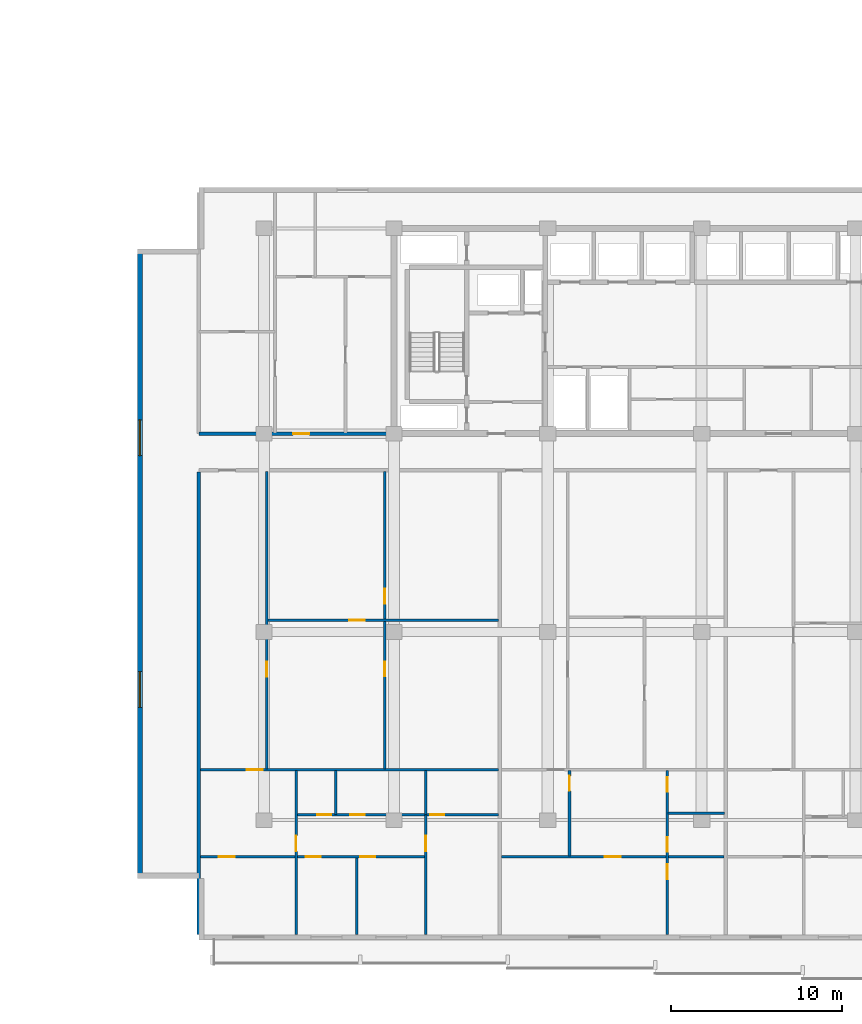
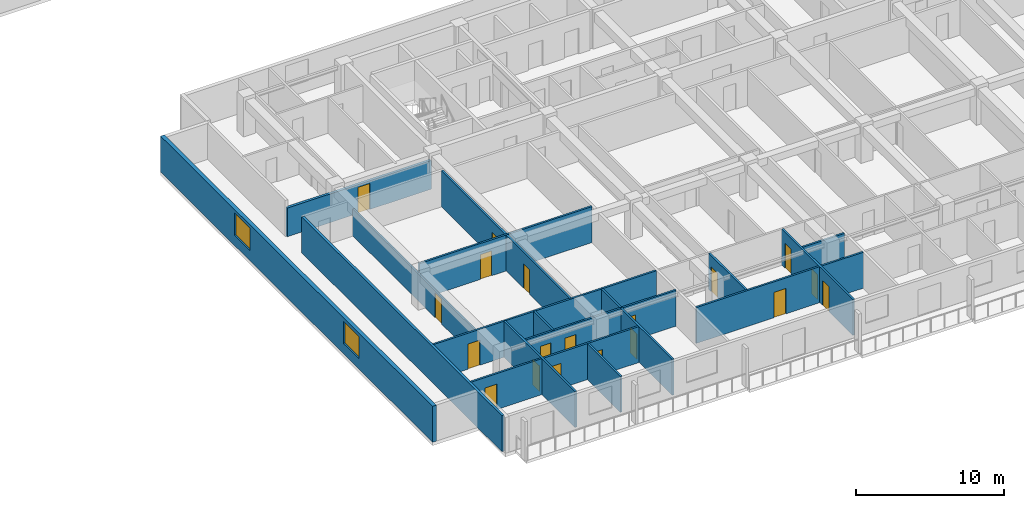
# One storey, part 4 of 23: 19 doors, 18 walls, 2 windows, 21 openings.
"""IFC4 building model written with IfcOpenShell, lengths in metres."""

from ifc_helpers import new_model, si_unit, direction, frame, frame_2d, origin, place, context, subcontext, project, spatial, rectangle, extrude, material, layer, layer_set, type_object, element, fill, save


model = new_model("IFC4")

# Units and contexts
model_context = context("Model", 3, precision=1e-05, world=origin(), true_north=direction((0.0, 1.0)))
body_context = subcontext(model_context, "Body", "Model", "MODEL_VIEW")
ifc_project = project(units=[si_unit("LENGTHUNIT", "METRE"), si_unit("AREAUNIT", "SQUARE_METRE"), si_unit("VOLUMEUNIT", "CUBIC_METRE"), si_unit("PLANEANGLEUNIT", "RADIAN"), si_unit("MASSUNIT", "GRAM", prefix="KILO")], contexts=[model_context])

# Site, building, storey
site_placement = place(None, origin())
site = spatial("IfcSite", under=ifc_project, at=site_placement, CompositionType="ELEMENT")
building_placement = place(site_placement, origin())
building = spatial("IfcBuilding", under=site, at=building_placement, Name="Korimba Cascade Residences", CompositionType="ELEMENT")
storey_placement = place(building_placement, frame((0.0, 0.0, 69.5)))
storey = spatial("IfcBuildingStorey", under=building, at=storey_placement, Name="L19", CompositionType="ELEMENT", Elevation=69.5)

# Wall, openings, windows
ifc_material_1 = material(Name="Precast concrete C40/50", Category="concrete")
ifc_layer_1 = layer(ifc_material_1, 0.300048828125)
ifc_layer_set_1 = layer_set([ifc_layer_1], Name="Precast concrete C40/50")
wall_type_1 = type_object("IfcWallType", Name="EW-STONE-300", PredefinedType="STANDARD", material=ifc_layer_set_1)
wall_1_placement = place(storey_placement, frame((67.25, 29.199951171875, 0.0), z_axis=(0.0, 0.0, 1.0), x_axis=(0.0, -1.0, 0.0)))
wall_1 = element("IfcWall", 1, at=wall_1_placement, inside=storey, type_object=wall_type_1, Name="L19 T2 Perimeter Stone Wall E09", PredefinedType="STANDARD", context=body_context, shape_type="SweptSolid", body=[
    extrude(rectangle(XDim=36.800048828125, YDim=0.300048828125, at=frame_2d((18.39990234375, 0.0))), origin(), (0.0, 0.0, 1.0), 2.969970703125),
])
opening_1_placement = place(wall_1_placement, frame((9.989990234375, 0.0, 0.85009765625)))
opening_1 = element("IfcOpeningElement", 2, at=opening_1_placement, cuts=wall_1, Name="Opening W-03", PredefinedType="OPENING", context=body_context, shape_type="SweptSolid", body=[
    extrude(rectangle(XDim=2.10009765625, YDim=1.85009765625, at=frame_2d((1.050048828125, 0.925048828125))), frame((0.0, 0.16015625, 0.0), z_axis=(0.0, -1.0, 0.0), x_axis=(1.0, 0.0, 0.0)), (0.0, 0.0, 1.0), 0.320068359375),
])
opening_2_placement = place(wall_1_placement, frame((24.7099609375, 0.0, 0.85009765625)))
opening_2 = element("IfcOpeningElement", 3, at=opening_2_placement, cuts=wall_1, Name="Opening W-03", PredefinedType="OPENING", context=body_context, shape_type="SweptSolid", body=[
    extrude(rectangle(XDim=2.10009765625, YDim=1.85009765625, at=frame_2d((1.050048828125, 0.925048828125))), frame((0.0, 0.16015625, 0.0), z_axis=(0.0, -1.0, 0.0), x_axis=(1.0, 0.0, 0.0)), (0.0, 0.0, 1.0), 0.320068359375),
])
ifc_material_2 = material(Name="Double-Glazed Aluminium Window", Category="aluminium")
window_type = type_object("IfcWindowType", Name="WIN-CRN-2100", PartitioningType="DOUBLE_PANEL_HORIZONTAL", PredefinedType="WINDOW", material=ifc_material_2)
window_1_placement = place(opening_1_placement, origin())
window_1 = element("IfcWindow", 4, at=window_1_placement, inside=storey, type_object=window_type, Name="L19 T2 End View Window 9.1", OverallHeight=1.85009765625, OverallWidth=2.10009765625, PartitioningType="DOUBLE_PANEL_HORIZONTAL", PredefinedType="WINDOW", context=body_context, shape_type="SweptSolid", body=[
    extrude(rectangle(XDim=2.10009765625, YDim=1.85009765625, at=frame_2d((1.050048828125, 0.925048828125))), frame((0.0, 0.030029296875, 0.0), z_axis=(0.0, -1.0, 0.0), x_axis=(1.0, 0.0, 0.0)), (0.0, 0.0, 1.0), 0.06005859375),
])
fill(opening_1, window_1)
window_2_placement = place(opening_2_placement, origin())
window_2 = element("IfcWindow", 5, at=window_2_placement, inside=storey, type_object=window_type, Name="L19 T2 End View Window 9.2", OverallHeight=1.85009765625, OverallWidth=2.10009765625, PartitioningType="DOUBLE_PANEL_HORIZONTAL", PredefinedType="WINDOW", context=body_context, shape_type="SweptSolid", body=[
    extrude(rectangle(XDim=2.10009765625, YDim=1.85009765625, at=frame_2d((1.050048828125, 0.925048828125))), frame((0.0, 0.030029296875, 0.0), z_axis=(0.0, -1.0, 0.0), x_axis=(1.0, 0.0, 0.0)), (0.0, 0.0, 1.0), 0.06005859375),
])
fill(opening_2, window_2)

# Wall, opening, door
ifc_layer_2 = layer(ifc_material_1, 0.199951171875)
ifc_layer_set_2 = layer_set([ifc_layer_2], Name="Precast concrete C40/50")
wall_type_2 = type_object("IfcWallType", Name="WAL-IT-200", PredefinedType="PARTITIONING", material=ifc_layer_set_2)
wall_2_placement = place(storey_placement, frame((70.699951171875, 18.39990234375, 0.0), z_axis=(0.0, 0.0, 1.0), x_axis=(1.0, 0.0, 0.0)))
wall_2 = element("IfcWall", 6, at=wall_2_placement, inside=storey, type_object=wall_type_2, Name="L19 Partition Wall WAL-L19-T2-FW-S", PredefinedType="PARTITIONING", context=body_context, shape_type="SweptSolid", body=[
    extrude(rectangle(XDim=11.25, YDim=0.199951171875, at=frame_2d((5.625, 0.0))), origin(), (0.0, 0.0, 1.0), 2.3701171875),
])
opening_3_placement = place(wall_2_placement, frame((5.50634765625, 0.0, 0.0)))
opening_3 = element("IfcOpeningElement", 7, at=opening_3_placement, cuts=wall_2, Name="Opening D-UN1", PredefinedType="OPENING", context=body_context, shape_type="SweptSolid", body=[
    extrude(rectangle(XDim=0.949951171875, YDim=2.14990234375, at=frame_2d((0.47509765625, 1.074951171875))), frame((0.0, 0.10986328125, 0.0), z_axis=(0.0, -1.0, 0.0), x_axis=(1.0, 0.0, 0.0)), (0.0, 0.0, 1.0), 0.219970703125),
])
ifc_material_3 = material(Name="Fire-Rated Hardwood Apartment Entrance Door", Category="wood")
door_type_1 = type_object("IfcDoorType", Name="DR-FD60-950", OperationType="NOTDEFINED", PredefinedType="DOOR", material=ifc_material_3)
door_1_placement = place(opening_3_placement, origin())
door_1 = element("IfcDoor", 8, at=door_1_placement, inside=storey, type_object=door_type_1, Name="L19-T2-FW Entrance Door", OperationType="SINGLE_SWING_RIGHT", OverallHeight=2.14990234375, OverallWidth=0.949951171875, PredefinedType="DOOR", context=body_context, shape_type="SweptSolid", body=[
    extrude(rectangle(XDim=0.949951171875, YDim=2.14990234375, at=frame_2d((0.47509765625, 1.074951171875))), frame((0.0, 0.02490234375, 0.0), z_axis=(0.0, -1.0, 0.0), x_axis=(1.0, 0.0, 0.0)), (0.0, 0.0, 1.0), 0.050048828125),
])
fill(opening_3, door_1)

# Wall
wall_3_placement = place(storey_placement, frame((70.699951171875, -10.89990234375, 0.0), z_axis=(0.0, 0.0, 1.0), x_axis=(0.0, 1.0, 0.0)))
element("IfcWall", 9, at=wall_3_placement, inside=storey, type_object=wall_type_2, Name="L19 Partition Wall WAL-L19-T2-BNDWL", PredefinedType="PARTITIONING", context=body_context, shape_type="SweptSolid", body=[
    extrude(rectangle(XDim=27.06982421875, YDim=0.199951171875, at=frame_2d((13.534912109375, 0.0))), origin(), (0.0, 0.0, 1.0), 2.969970703125),
])

# Wall, openings, doors
ifc_material_4 = material(Name="Insulated Acoustic Stud Partition", Category="gypsum")
ifc_layer_3 = layer(ifc_material_4, 0.14990234375)
ifc_layer_set_3 = layer_set([ifc_layer_3], Name="Insulated Acoustic Stud Partition")
wall_type_3 = type_object("IfcWallType", Name="WAL-PART-150", PredefinedType="PARTITIONING", material=ifc_layer_set_3)
wall_4_placement = place(storey_placement, frame((81.574951171875, -1.2099609375, 0.0), z_axis=(0.0, 0.0, 1.0), x_axis=(0.0, 1.0, 0.0)))
wall_4 = element("IfcWall", 10, at=wall_4_placement, inside=storey, type_object=wall_type_3, Name="L19 Partition Wall WAL-L19-T2-U01-FMV", PredefinedType="PARTITIONING", context=body_context, shape_type="SweptSolid", body=[
    extrude(rectangle(XDim=17.39990234375, YDim=0.14990234375, at=frame_2d((8.699951171875, 0.0))), origin(), (0.0, 0.0, 1.0), 2.969970703125),
])
opening_4_placement = place(wall_4_placement, frame((5.431884765625, 0.0, 0.0)))
opening_4 = element("IfcOpeningElement", 11, at=opening_4_placement, cuts=wall_4, Name="Opening D-BT1", PredefinedType="OPENING", context=body_context, shape_type="SweptSolid", body=[
    extrude(rectangle(XDim=0.840087890625, YDim=2.0400390625, at=frame_2d((0.419921875, 1.02001953125))), frame((0.0, 0.0849609375, 0.0), z_axis=(0.0, -1.0, 0.0), x_axis=(1.0, 0.0, 0.0)), (0.0, 0.0, 1.0), 0.169921875),
])
opening_5_placement = place(wall_4_placement, frame((9.672119140625, 0.0, 0.0)))
opening_5 = element("IfcOpeningElement", 12, at=opening_5_placement, cuts=wall_4, Name="Opening D-IN2", PredefinedType="OPENING", context=body_context, shape_type="SweptSolid", body=[
    extrude(rectangle(XDim=0.8798828125, YDim=2.06005859375, at=frame_2d((0.43994140625, 1.030029296875))), frame((0.0, 0.0849609375, 0.0), z_axis=(0.0, -1.0, 0.0), x_axis=(1.0, 0.0, 0.0)), (0.0, 0.0, 1.0), 0.169921875),
])
ifc_material_5 = material(Name="Moisture-Resistant Bathroom Timber Door", Category="wood")
door_type_2 = type_object("IfcDoorType", Name="DR-INT-850", OperationType="NOTDEFINED", PredefinedType="DOOR", material=ifc_material_5)
door_2_placement = place(opening_4_placement, origin())
door_2 = element("IfcDoor", 13, at=door_2_placement, inside=storey, type_object=door_type_2, Name="L19-T2-U01 Wardrobe Door", OperationType="SINGLE_SWING_LEFT", OverallHeight=2.0400390625, OverallWidth=0.840087890625, PredefinedType="DOOR", context=body_context, shape_type="SweptSolid", body=[
    extrude(rectangle(XDim=0.840087890625, YDim=2.0400390625, at=frame_2d((0.419921875, 1.02001953125))), frame((0.0, 0.02490234375, 0.0), z_axis=(0.0, -1.0, 0.0), x_axis=(1.0, 0.0, 0.0)), (0.0, 0.0, 1.0), 0.050048828125),
])
fill(opening_4, door_2)
ifc_material_6 = material(Name="Acoustic Timber Bedroom Door", Category="wood")
door_type_3 = type_object("IfcDoorType", Name="DR-INT-880", OperationType="NOTDEFINED", PredefinedType="DOOR", material=ifc_material_6)
door_3_placement = place(opening_5_placement, origin())
door_3 = element("IfcDoor", 14, at=door_3_placement, inside=storey, type_object=door_type_3, Name="L19-T2-U01 Music Lounge Door", OperationType="SINGLE_SWING_RIGHT", OverallHeight=2.06005859375, OverallWidth=0.8798828125, PredefinedType="DOOR", context=body_context, shape_type="SweptSolid", body=[
    extrude(rectangle(XDim=0.8798828125, YDim=2.06005859375, at=frame_2d((0.43994140625, 1.030029296875))), frame((0.0, 0.02490234375, 0.0), z_axis=(0.0, -1.0, 0.0), x_axis=(1.0, 0.0, 0.0)), (0.0, 0.0, 1.0), 0.050048828125),
])
fill(opening_5, door_3)

# Wall, opening, door
wall_5_placement = place(storey_placement, frame((74.72998046875, 7.489990234375, 0.0), z_axis=(0.0, 0.0, 1.0), x_axis=(1.0, 0.0, 0.0)))
wall_5 = element("IfcWall", 15, at=wall_5_placement, inside=storey, type_object=wall_type_3, Name="L19 Partition Wall WAL-L19-T2-U01-FMH", PredefinedType="PARTITIONING", context=body_context, shape_type="SweptSolid", body=[
    extrude(rectangle(XDim=13.489990234375, YDim=0.14990234375, at=frame_2d((6.7451171875, 0.0))), origin(), (0.0, 0.0, 1.0), 2.969970703125),
])
opening_6_placement = place(wall_5_placement, frame((4.77392578125, 0.0, 0.0)))
opening_6 = element("IfcOpeningElement", 16, at=opening_6_placement, cuts=wall_5, Name="Opening D-IN2", PredefinedType="OPENING", context=body_context, shape_type="SweptSolid", body=[
    extrude(rectangle(XDim=0.8798828125, YDim=2.06005859375, at=frame_2d((0.43994140625, 1.030029296875))), frame((0.0, 0.0849609375, 0.0), z_axis=(0.0, -1.0, 0.0), x_axis=(1.0, 0.0, 0.0)), (0.0, 0.0, 1.0), 0.169921875),
])
door_4_placement = place(opening_6_placement, origin())
door_4 = element("IfcDoor", 17, at=door_4_placement, inside=storey, type_object=door_type_3, Name="L19-T2-U01 Library Salon Door", OperationType="SINGLE_SWING_LEFT", OverallHeight=2.06005859375, OverallWidth=0.8798828125, PredefinedType="DOOR", context=body_context, shape_type="SweptSolid", body=[
    extrude(rectangle(XDim=0.8798828125, YDim=2.06005859375, at=frame_2d((0.43994140625, 1.030029296875))), frame((0.0, 0.02490234375, 0.0), z_axis=(0.0, -1.0, 0.0), x_axis=(1.0, 0.0, 0.0)), (0.0, 0.0, 1.0), 0.050048828125),
])
fill(opening_6, door_4)

wall_6_placement = place(storey_placement, frame((74.669921875, -1.2099609375, 0.0), z_axis=(0.0, 0.0, 1.0), x_axis=(0.0, 1.0, 0.0)))
wall_6 = element("IfcWall", 18, at=wall_6_placement, inside=storey, type_object=wall_type_3, Name="L19 Partition Wall WAL-L19-T2-U01-FV", PredefinedType="PARTITIONING", context=body_context, shape_type="SweptSolid", body=[
    extrude(rectangle(XDim=17.39990234375, YDim=0.14990234375, at=frame_2d((8.699951171875, 0.0))), origin(), (0.0, 0.0, 1.0), 2.219970703125),
])
opening_7_placement = place(wall_6_placement, frame((5.404052734375, 0.0, 0.0)))
opening_7 = element("IfcOpeningElement", 19, at=opening_7_placement, cuts=wall_6, Name="Opening D-IN2", PredefinedType="OPENING", context=body_context, shape_type="SweptSolid", body=[
    extrude(rectangle(XDim=0.8798828125, YDim=2.06005859375, at=frame_2d((0.43994140625, 1.030029296875))), frame((0.0, 0.0849609375, 0.0), z_axis=(0.0, -1.0, 0.0), x_axis=(1.0, 0.0, 0.0)), (0.0, 0.0, 1.0), 0.169921875),
])
door_5_placement = place(opening_7_placement, origin())
door_5 = element("IfcDoor", 20, at=door_5_placement, inside=storey, type_object=door_type_3, Name="L19-T2-U01 Media Lounge Door", OperationType="SINGLE_SWING_RIGHT", OverallHeight=2.06005859375, OverallWidth=0.8798828125, PredefinedType="DOOR", context=body_context, shape_type="SweptSolid", body=[
    extrude(rectangle(XDim=0.8798828125, YDim=2.06005859375, at=frame_2d((0.43994140625, 1.030029296875))), frame((0.0, 0.02490234375, 0.0), z_axis=(0.0, -1.0, 0.0), x_axis=(1.0, 0.0, 0.0)), (0.0, 0.0, 1.0), 0.050048828125),
])
fill(opening_7, door_5)

# Walls
wall_7_placement = place(storey_placement, frame((78.68994140625, -3.8701171875, 0.0), z_axis=(0.0, 0.0, 1.0), x_axis=(0.0, 1.0, 0.0)))
element("IfcWall", 21, at=wall_7_placement, inside=storey, type_object=wall_type_3, Name="L19 Partition Wall WAL-L19-T2-U01-VDRS", PredefinedType="PARTITIONING", context=body_context, shape_type="SweptSolid", body=[
    extrude(rectangle(XDim=2.580078125, YDim=0.14990234375, at=frame_2d((1.2900390625, 0.0))), origin(), (0.0, 0.0, 1.0), 2.969970703125),
])
wall_8_placement = place(storey_placement, frame((79.925048828125, -10.89990234375, 0.0), z_axis=(0.0, 0.0, 1.0), x_axis=(0.0, 1.0, 0.0)))
element("IfcWall", 22, at=wall_8_placement, inside=storey, type_object=wall_type_3, Name="L19 Partition Wall WAL-L19-T2-U01-VSTD", PredefinedType="PARTITIONING", context=body_context, shape_type="SweptSolid", body=[
    extrude(rectangle(XDim=4.469970703125, YDim=0.14990234375, at=frame_2d((2.23486328125, 0.0))), origin(), (0.0, 0.0, 1.0), 2.969970703125),
])

# Wall, opening, door
wall_9_placement = place(storey_placement, frame((76.3798828125, -10.89990234375, 0.0), z_axis=(0.0, 0.0, 1.0), x_axis=(0.0, 1.0, 0.0)))
wall_9 = element("IfcWall", 23, at=wall_9_placement, inside=storey, type_object=wall_type_3, Name="L19 Partition Wall WAL-L19-T2-U01-V1", PredefinedType="PARTITIONING", context=body_context, shape_type="SweptSolid", body=[
    extrude(rectangle(XDim=9.60986328125, YDim=0.14990234375, at=frame_2d((4.804931640625, 0.0))), origin(), (0.0, 0.0, 1.0), 2.969970703125),
])
opening_8_placement = place(wall_9_placement, frame((4.8701171875, 0.0, 0.0)))
opening_8 = element("IfcOpeningElement", 24, at=opening_8_placement, cuts=wall_9, Name="Opening D-IN1", PredefinedType="OPENING", context=body_context, shape_type="SweptSolid", body=[
    extrude(rectangle(XDim=0.919921875, YDim=2.080078125, at=frame_2d((0.4599609375, 1.0400390625))), frame((0.0, 0.0849609375, 0.0), z_axis=(0.0, -1.0, 0.0), x_axis=(1.0, 0.0, 0.0)), (0.0, 0.0, 1.0), 0.169921875),
])
ifc_material_7 = material(Name="Acoustic Timber Living Door", Category="wood")
door_type_4 = type_object("IfcDoorType", Name="DR-INT-920", OperationType="NOTDEFINED", PredefinedType="DOOR", material=ifc_material_7)
door_6_placement = place(opening_8_placement, origin())
door_6 = element("IfcDoor", 25, at=door_6_placement, inside=storey, type_object=door_type_4, Name="L19-T2-U01 Hallway Door", OperationType="SINGLE_SWING_LEFT", OverallHeight=2.080078125, OverallWidth=0.919921875, PredefinedType="DOOR", context=body_context, shape_type="SweptSolid", body=[
    extrude(rectangle(XDim=0.919921875, YDim=2.080078125, at=frame_2d((0.4599609375, 1.0400390625))), frame((0.0, 0.02490234375, 0.0), z_axis=(0.0, -1.0, 0.0), x_axis=(1.0, 0.0, 0.0)), (0.0, 0.0, 1.0), 0.050048828125),
])
fill(opening_8, door_6)

# Wall
wall_10_placement = place(storey_placement, frame((83.969970703125, -3.8701171875, 0.0), z_axis=(0.0, 0.0, 1.0), x_axis=(0.0, 1.0, 0.0)))
element("IfcWall", 26, at=wall_10_placement, inside=storey, type_object=wall_type_3, Name="L19 Partition Wall WAL-L19-T2-U01-VBATH", PredefinedType="PARTITIONING", context=body_context, shape_type="SweptSolid", body=[
    extrude(rectangle(XDim=2.580078125, YDim=0.14990234375, at=frame_2d((1.2900390625, 0.0))), origin(), (0.0, 0.0, 1.0), 2.969970703125),
])

# Wall, opening, door
wall_11_placement = place(storey_placement, frame((83.969970703125, -10.89990234375, 0.0), z_axis=(0.0, 0.0, 1.0), x_axis=(0.0, 1.0, 0.0)))
wall_11 = element("IfcWall", 27, at=wall_11_placement, inside=storey, type_object=wall_type_3, Name="L19 Partition Wall WAL-L19-T2-U01-V2FULL", PredefinedType="PARTITIONING", context=body_context, shape_type="SweptSolid", body=[
    extrude(rectangle(XDim=6.989990234375, YDim=0.14990234375, at=frame_2d((3.4951171875, 0.0))), origin(), (0.0, 0.0, 1.0), 2.969970703125),
])
opening_9_placement = place(wall_11_placement, frame((4.8701171875, 0.0, 0.0)))
opening_9 = element("IfcOpeningElement", 28, at=opening_9_placement, cuts=wall_11, Name="Opening D-IN1", PredefinedType="OPENING", context=body_context, shape_type="SweptSolid", body=[
    extrude(rectangle(XDim=0.919921875, YDim=2.080078125, at=frame_2d((0.4599609375, 1.0400390625))), frame((0.0, 0.0849609375, 0.0), z_axis=(0.0, -1.0, 0.0), x_axis=(1.0, 0.0, 0.0)), (0.0, 0.0, 1.0), 0.169921875),
])
door_7_placement = place(opening_9_placement, origin())
door_7 = element("IfcDoor", 29, at=door_7_placement, inside=storey, type_object=door_type_4, Name="L19-T2-U01 Master Bedroom Door", OperationType="SINGLE_SWING_RIGHT", OverallHeight=2.080078125, OverallWidth=0.919921875, PredefinedType="DOOR", context=body_context, shape_type="SweptSolid", body=[
    extrude(rectangle(XDim=0.919921875, YDim=2.080078125, at=frame_2d((0.4599609375, 1.0400390625))), frame((0.0, 0.02490234375, 0.0), z_axis=(0.0, -1.0, 0.0), x_axis=(1.0, 0.0, 0.0)), (0.0, 0.0, 1.0), 0.050048828125),
])
fill(opening_9, door_7)

# Wall, openings, doors
wall_12_placement = place(storey_placement, frame((76.419921875, -3.889892578125, 0.0), z_axis=(0.0, 0.0, 1.0), x_axis=(1.0, 0.0, 0.0)))
wall_12 = element("IfcWall", 30, at=wall_12_placement, inside=storey, type_object=wall_type_3, Name="L19 Partition Wall WAL-L19-T2-U01-HWALL", PredefinedType="PARTITIONING", context=body_context, shape_type="SweptSolid", body=[
    extrude(rectangle(XDim=11.800048828125, YDim=0.14990234375, at=frame_2d((5.89990234375, 0.0))), origin(), (0.0, 0.0, 1.0), 2.969970703125),
])
opening_10_placement = place(wall_12_placement, frame((1.19091796875, 0.0, 0.0)))
opening_10 = element("IfcOpeningElement", 31, at=opening_10_placement, cuts=wall_12, Name="Opening D-BT1", PredefinedType="OPENING", context=body_context, shape_type="SweptSolid", body=[
    extrude(rectangle(XDim=0.840087890625, YDim=2.0400390625, at=frame_2d((0.419921875, 1.02001953125))), frame((0.0, 0.0849609375, 0.0), z_axis=(0.0, -1.0, 0.0), x_axis=(1.0, 0.0, 0.0)), (0.0, 0.0, 1.0), 0.169921875),
])
opening_11_placement = place(wall_12_placement, frame((3.1298828125, 0.0, 0.0)))
opening_11 = element("IfcOpeningElement", 32, at=opening_11_placement, cuts=wall_12, Name="Opening D-BT1", PredefinedType="OPENING", context=body_context, shape_type="SweptSolid", body=[
    extrude(rectangle(XDim=0.840087890625, YDim=2.0400390625, at=frame_2d((0.419921875, 1.02001953125))), frame((0.0, 0.0849609375, 0.0), z_axis=(0.0, -1.0, 0.0), x_axis=(1.0, 0.0, 0.0)), (0.0, 0.0, 1.0), 0.169921875),
])
opening_12_placement = place(wall_12_placement, frame((7.800048828125, 0.0, 0.0)))
opening_12 = element("IfcOpeningElement", 33, at=opening_12_placement, cuts=wall_12, Name="Opening D-BT1", PredefinedType="OPENING", context=body_context, shape_type="SweptSolid", body=[
    extrude(rectangle(XDim=0.840087890625, YDim=2.0400390625, at=frame_2d((0.419921875, 1.02001953125))), frame((0.0, 0.0849609375, 0.0), z_axis=(0.0, -1.0, 0.0), x_axis=(1.0, 0.0, 0.0)), (0.0, 0.0, 1.0), 0.169921875),
])
door_8_placement = place(opening_10_placement, origin())
door_8 = element("IfcDoor", 34, at=door_8_placement, inside=storey, type_object=door_type_2, Name="L19-T2-U01 Family Bathroom Door", OperationType="SINGLE_SWING_LEFT", OverallHeight=2.0400390625, OverallWidth=0.840087890625, PredefinedType="DOOR", context=body_context, shape_type="SweptSolid", body=[
    extrude(rectangle(XDim=0.840087890625, YDim=2.0400390625, at=frame_2d((0.419921875, 1.02001953125))), frame((0.0, 0.02490234375, 0.0), z_axis=(0.0, -1.0, 0.0), x_axis=(1.0, 0.0, 0.0)), (0.0, 0.0, 1.0), 0.050048828125),
])
fill(opening_10, door_8)
door_9_placement = place(opening_11_placement, origin())
door_9 = element("IfcDoor", 35, at=door_9_placement, inside=storey, type_object=door_type_2, Name="L19-T2-U01 Dressing Room Door", OperationType="SINGLE_SWING_RIGHT", OverallHeight=2.0400390625, OverallWidth=0.840087890625, PredefinedType="DOOR", context=body_context, shape_type="SweptSolid", body=[
    extrude(rectangle(XDim=0.840087890625, YDim=2.0400390625, at=frame_2d((0.419921875, 1.02001953125))), frame((0.0, 0.02490234375, 0.0), z_axis=(0.0, -1.0, 0.0), x_axis=(1.0, 0.0, 0.0)), (0.0, 0.0, 1.0), 0.050048828125),
])
fill(opening_11, door_9)
door_10_placement = place(opening_12_placement, origin())
door_10 = element("IfcDoor", 36, at=door_10_placement, inside=storey, type_object=door_type_2, Name="L19-T2-U01 En-Suite Door", OperationType="SINGLE_SWING_LEFT", OverallHeight=2.0400390625, OverallWidth=0.840087890625, PredefinedType="DOOR", context=body_context, shape_type="SweptSolid", body=[
    extrude(rectangle(XDim=0.840087890625, YDim=2.0400390625, at=frame_2d((0.419921875, 1.02001953125))), frame((0.0, 0.02490234375, 0.0), z_axis=(0.0, -1.0, 0.0), x_axis=(1.0, 0.0, 0.0)), (0.0, 0.0, 1.0), 0.050048828125),
])
fill(opening_12, door_10)

# Wall, opening, door
wall_13_placement = place(storey_placement, frame((70.780029296875, -1.25, 0.0), z_axis=(0.0, 0.0, 1.0), x_axis=(1.0, 0.0, 0.0)))
wall_13 = element("IfcWall", 37, at=wall_13_placement, inside=storey, type_object=wall_type_3, Name="L19 Partition Wall WAL-L19-T2-U01-MW", PredefinedType="PARTITIONING", context=body_context, shape_type="SweptSolid", body=[
    extrude(rectangle(XDim=17.43994140625, YDim=0.14990234375, at=frame_2d((8.719970703125, 0.0))), origin(), (0.0, 0.0, 1.0), 2.969970703125),
])
opening_13_placement = place(wall_13_placement, frame((2.719970703125, 0.0, 0.0)))
opening_13 = element("IfcOpeningElement", 38, at=opening_13_placement, cuts=wall_13, Name="Opening D-IN1", PredefinedType="OPENING", context=body_context, shape_type="SweptSolid", body=[
    extrude(rectangle(XDim=0.919921875, YDim=2.080078125, at=frame_2d((0.4599609375, 1.0400390625))), frame((0.0, 0.0849609375, 0.0), z_axis=(0.0, -1.0, 0.0), x_axis=(1.0, 0.0, 0.0)), (0.0, 0.0, 1.0), 0.169921875),
])
door_11_placement = place(opening_13_placement, origin())
door_11 = element("IfcDoor", 39, at=door_11_placement, inside=storey, type_object=door_type_4, Name="L19-T2-U01 Kitchen Door", OperationType="SINGLE_SWING_RIGHT", OverallHeight=2.080078125, OverallWidth=0.919921875, PredefinedType="DOOR", context=body_context, shape_type="SweptSolid", body=[
    extrude(rectangle(XDim=0.919921875, YDim=2.080078125, at=frame_2d((0.4599609375, 1.0400390625))), frame((0.0, 0.02490234375, 0.0), z_axis=(0.0, -1.0, 0.0), x_axis=(1.0, 0.0, 0.0)), (0.0, 0.0, 1.0), 0.050048828125),
])
fill(opening_13, door_11)

# Wall, openings, doors
wall_14_placement = place(storey_placement, frame((70.780029296875, -6.35009765625, 0.0), z_axis=(0.0, 0.0, 1.0), x_axis=(1.0, 0.0, 0.0)))
wall_14 = element("IfcWall", 40, at=wall_14_placement, inside=storey, type_object=wall_type_3, Name="L19 Partition Wall WAL-L19-T2-U01-HZ", PredefinedType="PARTITIONING", context=body_context, shape_type="SweptSolid", body=[
    extrude(rectangle(XDim=13.18994140625, YDim=0.14990234375, at=frame_2d((6.594970703125, 0.0))), origin(), (0.0, 0.0, 1.0), 2.969970703125),
])
opening_14_placement = place(wall_14_placement, frame((1.08203125, 0.0, 0.0)))
opening_14 = element("IfcOpeningElement", 41, at=opening_14_placement, cuts=wall_14, Name="Opening D-IN0", PredefinedType="OPENING", context=body_context, shape_type="SweptSolid", body=[
    extrude(rectangle(XDim=0.93994140625, YDim=2.10009765625, at=frame_2d((0.469970703125, 1.050048828125))), frame((0.0, 0.0849609375, 0.0), z_axis=(0.0, -1.0, 0.0), x_axis=(1.0, 0.0, 0.0)), (0.0, 0.0, 1.0), 0.169921875),
])
opening_15_placement = place(wall_14_placement, frame((6.155029296875, 0.0, 0.0)))
opening_15 = element("IfcOpeningElement", 42, at=opening_15_placement, cuts=wall_14, Name="Opening D-IN2", PredefinedType="OPENING", context=body_context, shape_type="SweptSolid", body=[
    extrude(rectangle(XDim=0.8798828125, YDim=2.06005859375, at=frame_2d((0.43994140625, 1.030029296875))), frame((0.0, 0.0849609375, 0.0), z_axis=(0.0, -1.0, 0.0), x_axis=(1.0, 0.0, 0.0)), (0.0, 0.0, 1.0), 0.169921875),
])
opening_16_placement = place(wall_14_placement, frame((9.364990234375, 0.0, 0.0)))
opening_16 = element("IfcOpeningElement", 43, at=opening_16_placement, cuts=wall_14, Name="Opening D-IN2", PredefinedType="OPENING", context=body_context, shape_type="SweptSolid", body=[
    extrude(rectangle(XDim=0.8798828125, YDim=2.06005859375, at=frame_2d((0.43994140625, 1.030029296875))), frame((0.0, 0.0849609375, 0.0), z_axis=(0.0, -1.0, 0.0), x_axis=(1.0, 0.0, 0.0)), (0.0, 0.0, 1.0), 0.169921875),
])
door_12_placement = place(opening_15_placement, origin())
door_12 = element("IfcDoor", 44, at=door_12_placement, inside=storey, type_object=door_type_3, Name="L19-T2-U01 Bedroom 2 Door", OperationType="SINGLE_SWING_RIGHT", OverallHeight=2.06005859375, OverallWidth=0.8798828125, PredefinedType="DOOR", context=body_context, shape_type="SweptSolid", body=[
    extrude(rectangle(XDim=0.8798828125, YDim=2.06005859375, at=frame_2d((0.43994140625, 1.030029296875))), frame((0.0, 0.02490234375, 0.0), z_axis=(0.0, -1.0, 0.0), x_axis=(1.0, 0.0, 0.0)), (0.0, 0.0, 1.0), 0.050048828125),
])
fill(opening_15, door_12)
door_13_placement = place(opening_16_placement, origin())
door_13 = element("IfcDoor", 45, at=door_13_placement, inside=storey, type_object=door_type_3, Name="L19-T2-U01 Study Door", OperationType="SINGLE_SWING_LEFT", OverallHeight=2.06005859375, OverallWidth=0.8798828125, PredefinedType="DOOR", context=body_context, shape_type="SweptSolid", body=[
    extrude(rectangle(XDim=0.8798828125, YDim=2.06005859375, at=frame_2d((0.43994140625, 1.030029296875))), frame((0.0, 0.02490234375, 0.0), z_axis=(0.0, -1.0, 0.0), x_axis=(1.0, 0.0, 0.0)), (0.0, 0.0, 1.0), 0.050048828125),
])
fill(opening_16, door_13)
ifc_material_8 = material(Name="Acoustic Timber Living Archway Door", Category="wood")
door_type_5 = type_object("IfcDoorType", Name="DR-INT-950", OperationType="NOTDEFINED", PredefinedType="DOOR", material=ifc_material_8)
door_14_placement = place(opening_14_placement, origin())
door_14 = element("IfcDoor", 46, at=door_14_placement, inside=storey, type_object=door_type_5, Name="L19-T2-U01 Living Room Door", OperationType="SINGLE_SWING_LEFT", OverallHeight=2.10009765625, OverallWidth=0.93994140625, PredefinedType="DOOR", context=body_context, shape_type="SweptSolid", body=[
    extrude(rectangle(XDim=0.93994140625, YDim=2.10009765625, at=frame_2d((0.469970703125, 1.050048828125))), frame((0.0, 0.02490234375, 0.0), z_axis=(0.0, -1.0, 0.0), x_axis=(1.0, 0.0, 0.0)), (0.0, 0.0, 1.0), 0.050048828125),
])
fill(opening_14, door_14)

# Wall, opening, door
wall_15_placement = place(storey_placement, frame((92.3701171875, -6.2900390625, 0.0), z_axis=(0.0, 0.0, 1.0), x_axis=(0.0, 1.0, 0.0)))
wall_15 = element("IfcWall", 47, at=wall_15_placement, inside=storey, type_object=wall_type_3, Name="L19 Partition Wall WAL-L19-T2-U02-VDIN", PredefinedType="PARTITIONING", context=body_context, shape_type="SweptSolid", body=[
    extrude(rectangle(XDim=5.0, YDim=0.14990234375, at=frame_2d((2.5, 0.0))), origin(), (0.0, 0.0, 1.0), 2.969970703125),
])
opening_17_placement = place(wall_15_placement, frame((3.7958984375, 0.0, 0.0)))
opening_17 = element("IfcOpeningElement", 48, at=opening_17_placement, cuts=wall_15, Name="Opening D-IN2", PredefinedType="OPENING", context=body_context, shape_type="SweptSolid", body=[
    extrude(rectangle(XDim=0.8798828125, YDim=2.06005859375, at=frame_2d((0.43994140625, 1.030029296875))), frame((0.0, 0.0849609375, 0.0), z_axis=(0.0, -1.0, 0.0), x_axis=(1.0, 0.0, 0.0)), (0.0, 0.0, 1.0), 0.169921875),
])
door_15_placement = place(opening_17_placement, origin())
door_15 = element("IfcDoor", 49, at=door_15_placement, inside=storey, type_object=door_type_3, Name="L19-T2-U02 Dining Room Door", OperationType="SINGLE_SWING_LEFT", OverallHeight=2.06005859375, OverallWidth=0.8798828125, PredefinedType="DOOR", context=body_context, shape_type="SweptSolid", body=[
    extrude(rectangle(XDim=0.8798828125, YDim=2.06005859375, at=frame_2d((0.43994140625, 1.030029296875))), frame((0.0, 0.02490234375, 0.0), z_axis=(0.0, -1.0, 0.0), x_axis=(1.0, 0.0, 0.0)), (0.0, 0.0, 1.0), 0.050048828125),
])
fill(opening_17, door_15)

# Wall
wall_16_placement = place(storey_placement, frame((98.139892578125, -3.7900390625, 0.0), z_axis=(0.0, 0.0, 1.0), x_axis=(1.0, 0.0, 0.0)))
element("IfcWall", 50, at=wall_16_placement, inside=storey, type_object=wall_type_3, Name="L19 Partition Wall WAL-L19-T2-U02-BLDIV", PredefinedType="PARTITIONING", context=body_context, shape_type="SweptSolid", body=[
    extrude(rectangle(XDim=3.280029296875, YDim=0.14990234375, at=frame_2d((1.64013671875, 0.0))), origin(), (0.0, 0.0, 1.0), 2.969970703125),
])

# Wall, openings, doors
wall_17_placement = place(storey_placement, frame((98.080078125, -10.89990234375, 0.0), z_axis=(0.0, 0.0, 1.0), x_axis=(0.0, 1.0, 0.0)))
wall_17 = element("IfcWall", 51, at=wall_17_placement, inside=storey, type_object=wall_type_3, Name="L19 Partition Wall WAL-L19-T2-U02-V1", PredefinedType="PARTITIONING", context=body_context, shape_type="SweptSolid", body=[
    extrude(rectangle(XDim=9.60986328125, YDim=0.14990234375, at=frame_2d((4.804931640625, 0.0))), origin(), (0.0, 0.0, 1.0), 2.969970703125),
])
opening_18_placement = place(wall_17_placement, frame((4.85009765625, 0.0, 0.0)))
opening_18 = element("IfcOpeningElement", 52, at=opening_18_placement, cuts=wall_17, Name="Opening D-BT1", PredefinedType="OPENING", context=body_context, shape_type="SweptSolid", body=[
    extrude(rectangle(XDim=0.840087890625, YDim=2.0400390625, at=frame_2d((0.419921875, 1.02001953125))), frame((0.0, 0.0849609375, 0.0), z_axis=(0.0, -1.0, 0.0), x_axis=(1.0, 0.0, 0.0)), (0.0, 0.0, 1.0), 0.169921875),
])
opening_19_placement = place(wall_17_placement, frame((8.3564453125, 0.0, 0.0)))
opening_19 = element("IfcOpeningElement", 53, at=opening_19_placement, cuts=wall_17, Name="Opening D-BT1", PredefinedType="OPENING", context=body_context, shape_type="SweptSolid", body=[
    extrude(rectangle(XDim=0.840087890625, YDim=2.0400390625, at=frame_2d((0.419921875, 1.02001953125))), frame((0.0, 0.0849609375, 0.0), z_axis=(0.0, -1.0, 0.0), x_axis=(1.0, 0.0, 0.0)), (0.0, 0.0, 1.0), 0.169921875),
])
opening_20_placement = place(wall_17_placement, frame((3.25, 0.0, 0.0)))
opening_20 = element("IfcOpeningElement", 54, at=opening_20_placement, cuts=wall_17, Name="Opening D-IN2", PredefinedType="OPENING", context=body_context, shape_type="SweptSolid", body=[
    extrude(rectangle(XDim=0.8798828125, YDim=2.06005859375, at=frame_2d((0.43994140625, 1.030029296875))), frame((0.0, 0.0849609375, 0.0), z_axis=(0.0, -1.0, 0.0), x_axis=(1.0, 0.0, 0.0)), (0.0, 0.0, 1.0), 0.169921875),
])
door_16_placement = place(opening_18_placement, origin())
door_16 = element("IfcDoor", 55, at=door_16_placement, inside=storey, type_object=door_type_2, Name="L19-T2-U02 Bathroom Door", OperationType="SINGLE_SWING_RIGHT", OverallHeight=2.0400390625, OverallWidth=0.840087890625, PredefinedType="DOOR", context=body_context, shape_type="SweptSolid", body=[
    extrude(rectangle(XDim=0.840087890625, YDim=2.0400390625, at=frame_2d((0.419921875, 1.02001953125))), frame((0.0, 0.02490234375, 0.0), z_axis=(0.0, -1.0, 0.0), x_axis=(1.0, 0.0, 0.0)), (0.0, 0.0, 1.0), 0.050048828125),
])
fill(opening_18, door_16)
door_17_placement = place(opening_19_placement, origin())
door_17 = element("IfcDoor", 56, at=door_17_placement, inside=storey, type_object=door_type_2, Name="L19-T2-U02 Laundry Door", OperationType="SINGLE_SWING_LEFT", OverallHeight=2.0400390625, OverallWidth=0.840087890625, PredefinedType="DOOR", context=body_context, shape_type="SweptSolid", body=[
    extrude(rectangle(XDim=0.840087890625, YDim=2.0400390625, at=frame_2d((0.419921875, 1.02001953125))), frame((0.0, 0.02490234375, 0.0), z_axis=(0.0, -1.0, 0.0), x_axis=(1.0, 0.0, 0.0)), (0.0, 0.0, 1.0), 0.050048828125),
])
fill(opening_19, door_17)
door_18_placement = place(opening_20_placement, origin())
door_18 = element("IfcDoor", 57, at=door_18_placement, inside=storey, type_object=door_type_3, Name="L19-T2-U02 Bedroom 1 Door", OperationType="SINGLE_SWING_RIGHT", OverallHeight=2.06005859375, OverallWidth=0.8798828125, PredefinedType="DOOR", context=body_context, shape_type="SweptSolid", body=[
    extrude(rectangle(XDim=0.8798828125, YDim=2.06005859375, at=frame_2d((0.43994140625, 1.030029296875))), frame((0.0, 0.02490234375, 0.0), z_axis=(0.0, -1.0, 0.0), x_axis=(1.0, 0.0, 0.0)), (0.0, 0.0, 1.0), 0.050048828125),
])
fill(opening_20, door_18)

# Wall, opening, door
wall_18_placement = place(storey_placement, frame((88.3798828125, -6.35009765625, 0.0), z_axis=(0.0, 0.0, 1.0), x_axis=(1.0, 0.0, 0.0)))
wall_18 = element("IfcWall", 58, at=wall_18_placement, inside=storey, type_object=wall_type_3, Name="L19 Partition Wall WAL-L19-T2-U02-HZ", PredefinedType="PARTITIONING", context=body_context, shape_type="SweptSolid", body=[
    extrude(rectangle(XDim=13.0400390625, YDim=0.14990234375, at=frame_2d((6.52001953125, 0.0))), origin(), (0.0, 0.0, 1.0), 2.969970703125),
])
opening_21_placement = place(wall_18_placement, frame((6.050048828125, 0.0, 0.0)))
opening_21 = element("IfcOpeningElement", 59, at=opening_21_placement, cuts=wall_18, Name="Opening D-IN0", PredefinedType="OPENING", context=body_context, shape_type="SweptSolid", body=[
    extrude(rectangle(XDim=0.93994140625, YDim=2.10009765625, at=frame_2d((0.469970703125, 1.050048828125))), frame((0.0, 0.0849609375, 0.0), z_axis=(0.0, -1.0, 0.0), x_axis=(1.0, 0.0, 0.0)), (0.0, 0.0, 1.0), 0.169921875),
])
door_19_placement = place(opening_21_placement, origin())
door_19 = element("IfcDoor", 60, at=door_19_placement, inside=storey, type_object=door_type_5, Name="L19-T2-U02 Living Archway Door", OperationType="SINGLE_SWING_RIGHT", OverallHeight=2.10009765625, OverallWidth=0.93994140625, PredefinedType="DOOR", context=body_context, shape_type="SweptSolid", body=[
    extrude(rectangle(XDim=0.93994140625, YDim=2.10009765625, at=frame_2d((0.469970703125, 1.050048828125))), frame((0.0, 0.02490234375, 0.0), z_axis=(0.0, -1.0, 0.0), x_axis=(1.0, 0.0, 0.0)), (0.0, 0.0, 1.0), 0.050048828125),
])
fill(opening_21, door_19)

save(model, "model.ifc")
